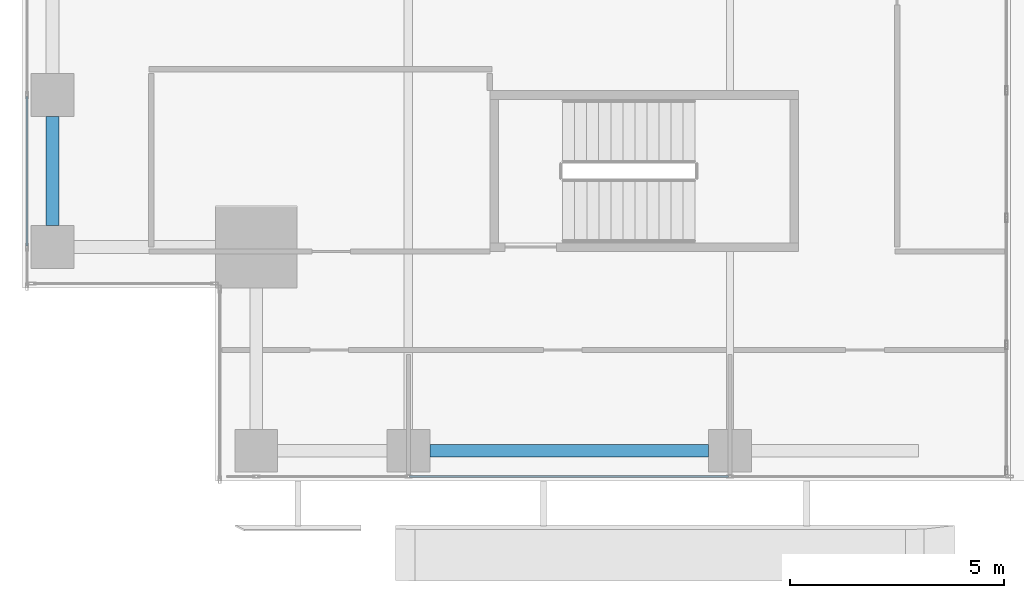
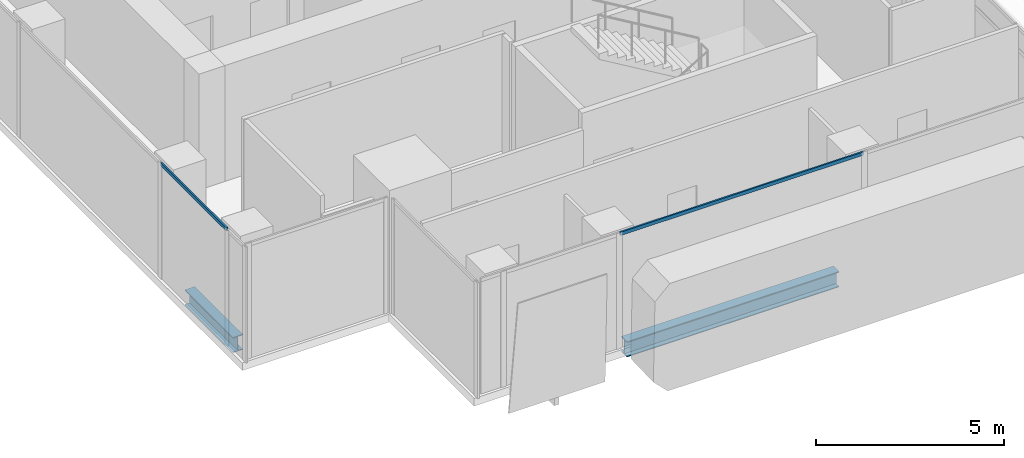
# One storey, part 3 of 37: 2 beams, 2 members, 2 elements without a shape of their own.
"""IFC4 building model written with IfcOpenShell, lengths in metres."""

import ifcopenshell
import ifcopenshell.guid

model = None  # the IFC model being written
_history = None  # IfcOwnerHistory: only IFC2X3 demands one
_inside = {}  # id of a spatial element -> (the spatial element, [elements in it])
_under = {}  # id of a project, library or spatial element -> (it, [spatial elements below it])
_declared = {}  # id of a project -> (the project, [libraries it declares])
_typed = {}  # id of a type object -> (the type object, [elements of that type])
_made_of = {}  # id of a material, layer set ... -> (it, [elements and type objects made of it])


def new_model(schema):
    """Start an empty IFC model of exactly this schema.

    Asked for "IFC4X3", IfcOpenShell would pick the latest addendum, in which some entities
    have other attributes; the version numbers below select the first issue.
    IFC2X3 requires an IfcOwnerHistory on every rooted entity: one is made here for all.
    """
    global model, _history
    if schema == "IFC4X3":
        model = ifcopenshell.file(schema_version=(4, 3, 0, 0))
    else:
        model = ifcopenshell.file(schema=schema)
    _inside.clear()
    _under.clear()
    _declared.clear()
    _typed.clear()
    _made_of.clear()
    _history = None
    if model.schema == "IFC2X3":
        org = make("IfcOrganization", Name="unknown")
        user = make(
            "IfcPersonAndOrganization",
            ThePerson=make("IfcPerson", FamilyName="unknown"),
            TheOrganization=org,
        )
        app = make(
            "IfcApplication",
            ApplicationDeveloper=org,
            Version="unknown",
            ApplicationFullName="unknown",
            ApplicationIdentifier="unknown",
        )
        _history = make(
            "IfcOwnerHistory",
            OwningUser=user,
            OwningApplication=app,
            ChangeAction="ADDED",
            CreationDate=0,
        )
    return model


def make(cls, **values):
    """One entity of the class cls with the attributes given. An attribute that is None is left unset."""
    return model.create_entity(
        cls, **{name: value for name, value in values.items() if value is not None}
    )


def rooted(cls, **values):
    """An entity with a GlobalId (a new one), such as an element, a storey or a relation."""
    return make(cls, GlobalId=ifcopenshell.guid.new(), OwnerHistory=_history, **values)


def si_unit(unit_type, name, prefix=None):
    """IfcSIUnit, for example si_unit("LENGTHUNIT", "METRE", prefix="MILLI")."""
    return make("IfcSIUnit", UnitType=unit_type, Prefix=prefix, Name=name)


def assignment(units):
    """IfcUnitAssignment: the units of a project."""
    return None if units is None else make("IfcUnitAssignment", Units=units)


def point(xyz):
    """IfcCartesianPoint."""
    return None if xyz is None else make("IfcCartesianPoint", Coordinates=xyz)


def direction(xyz):
    """IfcDirection."""
    return None if xyz is None else make("IfcDirection", DirectionRatios=xyz)


def frame(location, z_axis=None, x_axis=None):
    """IfcAxis2Placement3D, a coordinate frame: its origin and axes. An axis left out is left unset."""
    return make(
        "IfcAxis2Placement3D",
        Location=point(location),
        Axis=direction(z_axis),
        RefDirection=direction(x_axis),
    )


def frame_2d(location, x_axis=None):
    """IfcAxis2Placement2D, a coordinate frame in the plane: its origin and x axis."""
    return make(
        "IfcAxis2Placement2D", Location=point(location), RefDirection=direction(x_axis)
    )


def origin():
    """The frame at (0, 0, 0) with its axes left unset."""
    return frame((0.0, 0.0, 0.0))


def origin_2d():
    """The frame at (0, 0) in the plane with its x axis left unset."""
    return frame_2d((0.0, 0.0))


def place(relative_to, where):
    """IfcLocalPlacement: puts the frame where relative to a parent placement (None: the world)."""
    return make(
        "IfcLocalPlacement", PlacementRelTo=relative_to, RelativePlacement=where
    )


def context(
    kind, dimensions, precision=None, world=None, true_north=None, identifier=None
):
    """IfcGeometricRepresentationContext, for example the 3D "Model" context."""
    return make(
        "IfcGeometricRepresentationContext",
        ContextIdentifier=identifier,
        ContextType=kind,
        CoordinateSpaceDimension=dimensions,
        Precision=precision,
        WorldCoordinateSystem=world,
        TrueNorth=true_north,
    )


def subcontext(parent, identifier, kind, view, scale=None):
    """IfcGeometricRepresentationSubContext, for example "Body" below "Model"."""
    return make(
        "IfcGeometricRepresentationSubContext",
        ContextIdentifier=identifier,
        ContextType=kind,
        ParentContext=parent,
        TargetScale=scale,
        TargetView=view,
    )


def project(units=None, contexts=None):
    """IfcProject with its units and contexts."""
    return rooted(
        "IfcProject",
        Name="project",
        RepresentationContexts=contexts,
        UnitsInContext=assignment(units),
    )


def spatial(cls, under=None, at=None, **own):
    """A site, building, storey or space (cls), placed at a placement, below another one or the project."""
    s = rooted(cls, ObjectPlacement=at, **own)
    if under is not None:
        _under.setdefault(under.id(), (under, []))[1].append(s)
    return s


def profile(cls, at=None, kind="AREA", **sizes):
    """A parametric profile (cls). Its sizes go by their IFC names, for example OverallWidth=200.0."""
    return make(cls, ProfileType=kind, Position=at, **sizes)


def hollow_rectangle(**sizes):
    """IfcRectangleHollowProfileDef."""
    return profile("IfcRectangleHollowProfileDef", **sizes)


def i_section(**sizes):
    """IfcIShapeProfileDef."""
    return profile("IfcIShapeProfileDef", **sizes)


def extrude(swept, where, along, depth):
    """IfcExtrudedAreaSolid: the profile swept, set in the frame where, extruded along a direction by depth."""
    return make(
        "IfcExtrudedAreaSolid",
        SweptArea=swept,
        Position=where,
        ExtrudedDirection=direction(along),
        Depth=depth,
    )


def shape(context_of_items, identifier, shape_type, items):
    """IfcShapeRepresentation: the items that make up one representation, for example the "Body"."""
    return make(
        "IfcShapeRepresentation",
        ContextOfItems=context_of_items,
        RepresentationIdentifier=identifier,
        RepresentationType=shape_type,
        Items=items,
    )


def source(mapping_origin, context_of_items, identifier, shape_type, items):
    """IfcRepresentationMap: a shape defined once, which mapped items show again and again."""
    return make(
        "IfcRepresentationMap",
        MappingOrigin=mapping_origin,
        MappedRepresentation=shape(context_of_items, identifier, shape_type, items),
    )


def transform(
    local_origin,
    x_axis=None,
    y_axis=None,
    z_axis=None,
    scale=None,
    scale2=None,
    scale3=None,
    uniform=True,
):
    """IfcCartesianTransformationOperator3D, or its non-uniform kind. x_axis, y_axis, z_axis: its Axis1, 2, 3."""
    if uniform:
        return make(
            "IfcCartesianTransformationOperator3D",
            Axis1=direction(x_axis),
            Axis2=direction(y_axis),
            LocalOrigin=point(local_origin),
            Scale=scale,
            Axis3=direction(z_axis),
        )
    return make(
        "IfcCartesianTransformationOperator3DnonUniform",
        Axis1=direction(x_axis),
        Axis2=direction(y_axis),
        LocalOrigin=point(local_origin),
        Scale=scale,
        Axis3=direction(z_axis),
        Scale2=scale2,
        Scale3=scale3,
    )


def mapped(mapping_source, mapping_target):
    """IfcMappedItem: shows the shape of a source again, moved by a transform."""
    return make(
        "IfcMappedItem", MappingSource=mapping_source, MappingTarget=mapping_target
    )


def material(Name=None, Category=None):
    """IfcMaterial."""
    return make("IfcMaterial", Name=Name, Category=Category)


def material_profile(
    of_material, cross_section, Name=None, Category=None, Priority=None
):
    """IfcMaterialProfile: a cross section and its material."""
    return make(
        "IfcMaterialProfile",
        Name=Name,
        Material=of_material,
        Profile=cross_section,
        Priority=Priority,
        Category=Category,
    )


def profile_set(profiles, Name=None, composite=None):
    """IfcMaterialProfileSet."""
    return make(
        "IfcMaterialProfileSet",
        Name=Name,
        MaterialProfiles=profiles,
        CompositeProfile=composite,
    )


def made_of(thing, what):
    """Note that an element or type object is made of a material, layer set ...; save() writes the relation."""
    if what is not None:
        _made_of.setdefault(what.id(), (what, []))[1].append(thing)
    return thing


def type_object(cls, material=None, **own):
    """A type object (cls), such as IfcWallType, which elements share."""
    return made_of(rooted(cls, **own), material)


def element(
    cls,
    number,
    at=None,
    inside=None,
    cuts=None,
    type_object=None,
    material=None,
    context=None,
    identifier="Body",
    shape_type=None,
    held_by="IfcProductDefinitionShape",
    body=None,
    shapes=None,
    **own,
):
    """One element of the class cls, such as IfcWall. Its Tag is "e" and its number.

    at: its placement. inside: the storey or other place that contains it. cuts: it is an
    opening in that element (IfcRelVoidsElement). A single representation is given by context,
    identifier, shape_type and body (its items); several are given by shapes. held_by: the class
    of the entity that holds the representations. save() writes the other relations.
    """
    e = rooted(cls, Tag="e%d" % number, ObjectPlacement=at, **own)
    if body is not None:
        shapes = [shape(context, identifier, shape_type, body)]
    if shapes is not None:
        e.Representation = make(held_by, Representations=shapes)
    if inside is not None:
        _inside.setdefault(inside.id(), (inside, []))[1].append(e)
    if cuts is not None:
        rooted(
            "IfcRelVoidsElement", RelatingBuildingElement=cuts, RelatedOpeningElement=e
        )
    if type_object is not None:
        _typed.setdefault(type_object.id(), (type_object, []))[1].append(e)
    return made_of(e, material)


def aggregate(whole, parts):
    """IfcRelAggregates: a whole, such as a stair, and the parts it consists of."""
    return rooted("IfcRelAggregates", RelatingObject=whole, RelatedObjects=parts)


def save(model, path):
    """Write the relations noted so far, then the file.

    IfcRelAggregates (storeys below a building ...), IfcRelContainedInSpatialStructure (elements
    in a storey), IfcRelDefinesByType, IfcRelAssociatesMaterial and IfcRelDeclares: one each for
    every whole, place, type object, material and project.
    """
    for whole, parts in _under.values():
        aggregate(whole, parts)
    for where, things in _inside.values():
        rooted(
            "IfcRelContainedInSpatialStructure",
            RelatedElements=things,
            RelatingStructure=where,
        )
    for kind, things in _typed.values():
        rooted("IfcRelDefinesByType", RelatedObjects=things, RelatingType=kind)
    for what, things in _made_of.values():
        rooted("IfcRelAssociatesMaterial", RelatedObjects=things, RelatingMaterial=what)
    for by, libraries in _declared.values():
        rooted("IfcRelDeclares", RelatingContext=by, RelatedDefinitions=libraries)
    model.write(path)


model = new_model("IFC4")

# Units and contexts
model_context = context("Model", 3, precision=1e-05, world=origin(), true_north=direction((0.0, 1.0)))
body_context = subcontext(model_context, "Body", "Model", "MODEL_VIEW")
ifc_project = project(units=[si_unit("LENGTHUNIT", "METRE"), si_unit("AREAUNIT", "SQUARE_METRE"), si_unit("VOLUMEUNIT", "CUBIC_METRE"), si_unit("PLANEANGLEUNIT", "RADIAN"), si_unit("MASSUNIT", "GRAM", prefix="KILO")], contexts=[model_context])

# Site, building, storey
site_placement = place(None, origin())
site = spatial("IfcSite", under=ifc_project, at=site_placement, CompositionType="ELEMENT")
building_placement = place(site_placement, origin())
building = spatial("IfcBuilding", under=site, at=building_placement, Name="Khomas Fold Tower", CompositionType="ELEMENT")
storey_placement = place(building_placement, frame((0.0, 0.0, 168.699951171875)))
storey = spatial("IfcBuildingStorey", under=building, at=storey_placement, Name="L36", CompositionType="ELEMENT", Elevation=168.699951171875)

# Beams
ifc_material_1 = material(Name="Steel S355", Category="steel")
ifc_material_profile_1 = material_profile(ifc_material_1, i_section(OverallWidth=0.300048828125, OverallDepth=0.5, WebThickness=0.014404296875, FlangeThickness=0.028076171875, at=origin_2d()), Name="HE 500 B")
ifc_profile_set_1 = profile_set([ifc_material_profile_1], Name="Steel S355")
beam_type = type_object("IfcBeamType", Name="HE 500 B spandrel SB3", PredefinedType="SPANDREL", material=ifc_profile_set_1)
shared_shape_1 = source(origin(), body_context, "Body", "SweptSolid", [
    extrude(i_section(OverallWidth=0.300048828125, OverallDepth=0.5, WebThickness=0.014404296875, FlangeThickness=0.028076171875, at=origin_2d()), origin(), (0.0, 0.0, 1.0), 2.550048828125),
])
beam_1_placement = place(storey_placement, frame((3.699951171875, 8.949951171875, -0.5), z_axis=(0.0, 1.0, 0.0), x_axis=(-1.0, 0.0, 0.0)))
element("IfcBeam", 1, at=beam_1_placement, inside=storey, type_object=beam_type, Name="SB3", PredefinedType="SPANDREL", context=body_context, shape_type="MappedRepresentation", body=[
    mapped(shared_shape_1, transform((0.0, 0.0, 0.0))),
])
shared_shape_2 = source(origin(), body_context, "Body", "SweptSolid", [
    extrude(i_section(OverallWidth=0.300048828125, OverallDepth=0.5, WebThickness=0.014404296875, FlangeThickness=0.028076171875, at=origin_2d()), origin(), (0.0, 0.0, 1.0), 6.5),
])
beam_2_placement = place(storey_placement, frame((12.5, 3.699951171875, -0.5), z_axis=(1.0, 0.0, 0.0), x_axis=(0.0, 1.0, 0.0)))
element("IfcBeam", 2, at=beam_2_placement, inside=storey, type_object=beam_type, Name="SB3", PredefinedType="SPANDREL", context=body_context, shape_type="MappedRepresentation", body=[
    mapped(shared_shape_2, transform((0.0, 0.0, 0.0))),
])

# Curtain wall, member
ifc_material_2 = material(Name="Aluminium framed double glazing", Category="aluminium")
curtain_wall_type = type_object("IfcCurtainWallType", Name="SK-Unitised clear-glass wall, office floors CW2", PredefinedType="NOTDEFINED", material=ifc_material_2)
curtain_wall_1_placement = place(storey_placement, origin())
curtain_wall_1 = element("IfcCurtainWall", 3, at=curtain_wall_1_placement, inside=storey, type_object=curtain_wall_type, Name="CW2 run L36 18-0", PredefinedType="NOTDEFINED")
ifc_material_3 = material(Name="Aluminium", Category="aluminium")
ifc_material_profile_2 = material_profile(ifc_material_3, hollow_rectangle(XDim=0.050048828125, YDim=0.110107421875, WallThickness=0.00390625, at=origin_2d()), Name="SK-Unitised clear-glass wall, office floors transom CW2-T")
ifc_profile_set_2 = profile_set([ifc_material_profile_2], Name="Aluminium")
member_type = type_object("IfcMemberType", Name="SK-Unitised clear-glass wall, office floors transom CW2-T", PredefinedType="USERDEFINED", material=ifc_profile_set_2)
shared_shape_3 = source(origin(), body_context, "Body", "SweptSolid", [
    extrude(hollow_rectangle(XDim=0.050048828125, YDim=0.110107421875, WallThickness=0.00390625, at=origin_2d()), origin(), (0.0, 0.0, 1.0), 3.489990234375),
])
member_1_placement = place(storey_placement, frame((3.10009765625, 11.969970703125, 3.695068359375), z_axis=(0.0, -1.0, 0.0), x_axis=(1.0, 0.0, 0.0)))
member_1 = element("IfcMember", 4, at=member_1_placement, type_object=member_type, Name="CW2 transom 7", ObjectType="TRANSOM", PredefinedType="USERDEFINED", context=body_context, shape_type="MappedRepresentation", body=[
    mapped(shared_shape_3, transform((0.0, 0.0, 0.0))),
])
aggregate(curtain_wall_1, [member_1])

curtain_wall_2_placement = place(storey_placement, origin())
curtain_wall_2 = element("IfcCurtainWall", 5, at=curtain_wall_2_placement, inside=storey, type_object=curtain_wall_type, Name="CW2 run L36 01-0", PredefinedType="NOTDEFINED")
shared_shape_4 = source(origin(), body_context, "Body", "SweptSolid", [
    extrude(hollow_rectangle(XDim=0.050048828125, YDim=0.110107421875, WallThickness=0.00390625, at=origin_2d()), origin(), (0.0, 0.0, 1.0), 7.43994140625),
])
member_2_placement = place(storey_placement, frame((12.030029296875, 3.10009765625, 3.695068359375), z_axis=(1.0, 0.0, 0.0), x_axis=(0.0, 1.0, 0.0)))
member_2 = element("IfcMember", 6, at=member_2_placement, type_object=member_type, Name="CW2 transom 3", ObjectType="TRANSOM", PredefinedType="USERDEFINED", context=body_context, shape_type="MappedRepresentation", body=[
    mapped(shared_shape_4, transform((0.0, 0.0, 0.0))),
])
aggregate(curtain_wall_2, [member_2])

save(model, "model.ifc")
